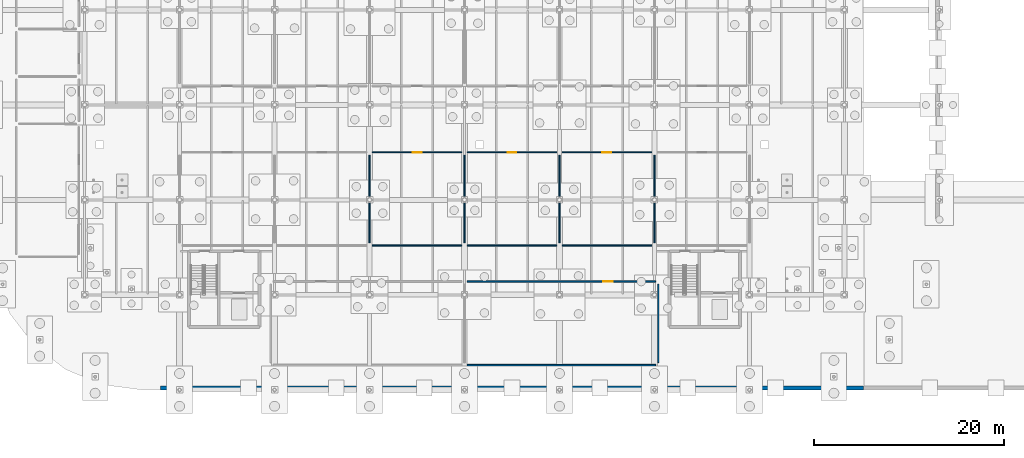
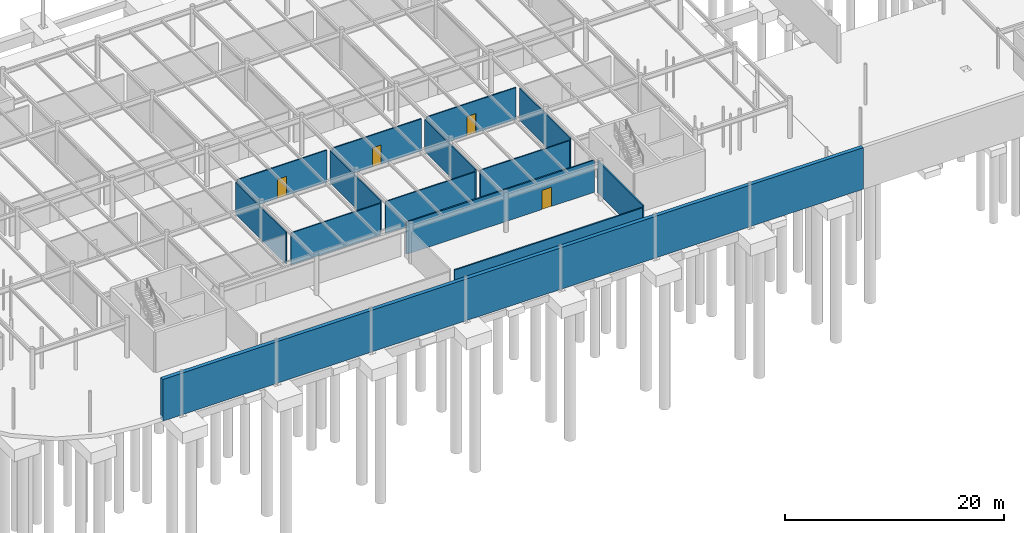
# One storey, part 62 of 75: 14 walls, 4 doors, 4 openings.
"""IFC4 building model written with IfcOpenShell, lengths in metres."""

from ifc_helpers import new_model, si_unit, derived_unit, direction, frame, frame_2d, origin, place, context, subcontext, project, spatial, rectangle, extrude, material, layer, layer_set, type_object, element, fill, save


model = new_model("IFC4")

# Units and contexts
model_context = context("Model", 3, precision=1e-05, world=origin(), true_north=direction((0.0, 1.0)))
body_context = subcontext(model_context, "Body", "Model", "MODEL_VIEW")
ifc_project = project(units=[si_unit("LENGTHUNIT", "METRE"), si_unit("AREAUNIT", "SQUARE_METRE"), si_unit("VOLUMEUNIT", "CUBIC_METRE"), si_unit("PLANEANGLEUNIT", "RADIAN"), si_unit("MASSUNIT", "GRAM", prefix="KILO"), derived_unit("THERMALTRANSMITTANCEUNIT", [(si_unit("POWERUNIT", "WATT"), 1), (si_unit("LENGTHUNIT", "METRE"), -2), (si_unit("THERMODYNAMICTEMPERATUREUNIT", "KELVIN"), -1)])], contexts=[model_context])

# Site, building, storey
site_placement = place(None, origin())
site = spatial("IfcSite", under=ifc_project, at=site_placement, CompositionType="ELEMENT")
building_placement = place(site_placement, origin())
building = spatial("IfcBuilding", under=site, at=building_placement, Name="Cinnabar Yard Market Hall", CompositionType="ELEMENT")
storey_placement = place(building_placement, frame((0.0, 0.0, -4.5)))
storey = spatial("IfcBuildingStorey", under=building, at=storey_placement, Name="B1", CompositionType="ELEMENT", Elevation=-4.5)

# Walls
ifc_material_1 = material(Name="Acoustic steel-stud plasterboard", Category="steel")
ifc_layer_1 = layer(ifc_material_1, 0.1201171875)
ifc_layer_set_1 = layer_set([ifc_layer_1], Name="Acoustic steel-stud plasterboard")
wall_type_1 = type_object("IfcWallType", Name="WL-PT120", PredefinedType="PARTITIONING", material=ifc_layer_set_1)
wall_1_placement = place(storey_placement, frame((106.0, 29.47998046875, 0.0), z_axis=(0.0, 0.0, 1.0), x_axis=(0.0, 1.0, 0.0)))
element("IfcWall", 1, at=wall_1_placement, inside=storey, type_object=wall_type_1, Name="Partition Wine and Olive Merchant Shop B02 east", PredefinedType="PARTITIONING", context=body_context, shape_type="SweptSolid", body=[
    extrude(rectangle(XDim=9.239990234375, YDim=0.1201171875, at=frame_2d((4.6201171875, 0.0), x_axis=(1.0, 0.0))), origin(), (0.0, 0.0, 1.0), 3.580078125),
])
wall_2_placement = place(storey_placement, frame((106.280029296875, 29.199951171875, 0.0), z_axis=(0.0, 0.0, 1.0), x_axis=(1.0, 0.0, 0.0)))
element("IfcWall", 2, at=wall_2_placement, inside=storey, type_object=wall_type_1, Name="Partition Artisan Cheese Cellar Shop B03 south", PredefinedType="PARTITIONING", context=body_context, shape_type="SweptSolid", body=[
    extrude(rectangle(XDim=9.43994140625, YDim=0.1201171875, at=frame_2d((4.719970703125, 0.0), x_axis=(1.0, 0.0))), origin(), (0.0, 0.0, 1.0), 3.580078125),
])
wall_3_placement = place(storey_placement, frame((116.0, 29.47998046875, 0.0), z_axis=(0.0, 0.0, 1.0), x_axis=(0.0, 1.0, 0.0)))
element("IfcWall", 3, at=wall_3_placement, inside=storey, type_object=wall_type_1, Name="Partition Artisan Cheese Cellar Shop B03 east", PredefinedType="PARTITIONING", context=body_context, shape_type="SweptSolid", body=[
    extrude(rectangle(XDim=9.239990234375, YDim=0.1201171875, at=frame_2d((4.6201171875, 0.0), x_axis=(1.0, 0.0))), origin(), (0.0, 0.0, 1.0), 3.580078125),
])

# Wall, opening, door
wall_4_placement = place(storey_placement, frame((115.719970703125, 39.0, 0.0), z_axis=(0.0, 0.0, 1.0), x_axis=(-1.0, 0.0, 0.0)))
wall_4 = element("IfcWall", 4, at=wall_4_placement, inside=storey, type_object=wall_type_1, Name="Partition Artisan Cheese Cellar Shop B03 north", PredefinedType="PARTITIONING", context=body_context, shape_type="SweptSolid", body=[
    extrude(rectangle(XDim=9.43994140625, YDim=0.1201171875, at=frame_2d((4.719970703125, 0.0), x_axis=(1.0, 0.0))), origin(), (0.0, 0.0, 1.0), 3.580078125),
])
opening_1_placement = place(wall_4_placement, frame((4.2451171875, 0.0, 0.0)))
opening_1 = element("IfcOpeningElement", 5, at=opening_1_placement, cuts=wall_4, Name="Opening ID-092", PredefinedType="OPENING", context=body_context, shape_type="SweptSolid", body=[
    extrude(rectangle(XDim=0.949951171875, YDim=2.14990234375, at=frame_2d((0.47509765625, 1.074951171875), x_axis=(1.0, 0.0))), frame((0.0, 0.070068359375, 0.0), z_axis=(0.0, -1.0, 0.0), x_axis=(1.0, 0.0, 0.0)), (0.0, 0.0, 1.0), 0.14013671875),
])
ifc_material_2 = material(Name="Solid-core spotted gum timber", Category="wood")
door_type_1 = type_object("IfcDoorType", Name="DR-D06", OperationType="NOTDEFINED", PredefinedType="DOOR", material=ifc_material_2)
door_1_placement = place(opening_1_placement, origin())
door_1 = element("IfcDoor", 6, at=door_1_placement, inside=storey, type_object=door_type_1, Name="Interior Door ID-092", OperationType="SINGLE_SWING_LEFT", OverallHeight=2.14990234375, OverallWidth=0.949951171875, PredefinedType="DOOR", context=body_context, shape_type="SweptSolid", body=[
    extrude(rectangle(XDim=0.949951171875, YDim=2.14990234375, at=frame_2d((0.47509765625, 1.074951171875), x_axis=(1.0, 0.0))), frame((0.0, 0.02490234375, 0.0), z_axis=(0.0, -1.0, 0.0), x_axis=(1.0, 0.0, 0.0)), (0.0, 0.0, 1.0), 0.050048828125),
])
fill(opening_1, door_1)

# Walls
wall_5_placement = place(storey_placement, frame((116.280029296875, 29.199951171875, 0.0), z_axis=(0.0, 0.0, 1.0), x_axis=(1.0, 0.0, 0.0)))
element("IfcWall", 7, at=wall_5_placement, inside=storey, type_object=wall_type_1, Name="Partition Charcuterie and Cured Meats Shop B04 south", PredefinedType="PARTITIONING", context=body_context, shape_type="SweptSolid", body=[
    extrude(rectangle(XDim=9.43994140625, YDim=0.1201171875, at=frame_2d((4.719970703125, 0.0), x_axis=(1.0, 0.0))), origin(), (0.0, 0.0, 1.0), 3.580078125),
])
wall_6_placement = place(storey_placement, frame((126.0, 29.47998046875, 0.0), z_axis=(0.0, 0.0, 1.0), x_axis=(0.0, 1.0, 0.0)))
element("IfcWall", 8, at=wall_6_placement, inside=storey, type_object=wall_type_1, Name="Partition Charcuterie and Cured Meats Shop B04 east", PredefinedType="PARTITIONING", context=body_context, shape_type="SweptSolid", body=[
    extrude(rectangle(XDim=9.239990234375, YDim=0.1201171875, at=frame_2d((4.6201171875, 0.0), x_axis=(1.0, 0.0))), origin(), (0.0, 0.0, 1.0), 3.580078125),
])

# Wall, opening, door
wall_7_placement = place(storey_placement, frame((125.719970703125, 39.0, 0.0), z_axis=(0.0, 0.0, 1.0), x_axis=(-1.0, 0.0, 0.0)))
wall_7 = element("IfcWall", 9, at=wall_7_placement, inside=storey, type_object=wall_type_1, Name="Partition Charcuterie and Cured Meats Shop B04 north", PredefinedType="PARTITIONING", context=body_context, shape_type="SweptSolid", body=[
    extrude(rectangle(XDim=9.43994140625, YDim=0.1201171875, at=frame_2d((4.719970703125, 0.0), x_axis=(1.0, 0.0))), origin(), (0.0, 0.0, 1.0), 3.580078125),
])
opening_2_placement = place(wall_7_placement, frame((4.260009765625, 0.0, 0.0)))
opening_2 = element("IfcOpeningElement", 10, at=opening_2_placement, cuts=wall_7, Name="Opening ID-093", PredefinedType="OPENING", context=body_context, shape_type="SweptSolid", body=[
    extrude(rectangle(XDim=0.919921875, YDim=2.14990234375, at=frame_2d((0.4599609375, 1.074951171875), x_axis=(1.0, 0.0))), frame((0.0, 0.070068359375, 0.0), z_axis=(0.0, -1.0, 0.0), x_axis=(1.0, 0.0, 0.0)), (0.0, 0.0, 1.0), 0.14013671875),
])
door_type_2 = type_object("IfcDoorType", Name="DR-D07", OperationType="NOTDEFINED", PredefinedType="DOOR", material=ifc_material_2)
door_2_placement = place(opening_2_placement, origin())
door_2 = element("IfcDoor", 11, at=door_2_placement, inside=storey, type_object=door_type_2, Name="Interior Door ID-093", OperationType="SINGLE_SWING_RIGHT", OverallHeight=2.14990234375, OverallWidth=0.919921875, PredefinedType="DOOR", context=body_context, shape_type="SweptSolid", body=[
    extrude(rectangle(XDim=0.919921875, YDim=2.14990234375, at=frame_2d((0.4599609375, 1.074951171875), x_axis=(1.0, 0.0))), frame((0.0, 0.02490234375, 0.0), z_axis=(0.0, -1.0, 0.0), x_axis=(1.0, 0.0, 0.0)), (0.0, 0.0, 1.0), 0.050048828125),
])
fill(opening_2, door_2)

# Walls
wall_8_placement = place(storey_placement, frame((126.280029296875, 29.199951171875, 0.0), z_axis=(0.0, 0.0, 1.0), x_axis=(1.0, 0.0, 0.0)))
element("IfcWall", 12, at=wall_8_placement, inside=storey, type_object=wall_type_1, Name="Partition Dry Goods and Grain Larder Shop B05 south", PredefinedType="PARTITIONING", context=body_context, shape_type="SweptSolid", body=[
    extrude(rectangle(XDim=9.43994140625, YDim=0.1201171875, at=frame_2d((4.719970703125, 0.0), x_axis=(1.0, 0.0))), origin(), (0.0, 0.0, 1.0), 3.580078125),
])
wall_9_placement = place(storey_placement, frame((136.0, 29.47998046875, 0.0), z_axis=(0.0, 0.0, 1.0), x_axis=(0.0, 1.0, 0.0)))
element("IfcWall", 13, at=wall_9_placement, inside=storey, type_object=wall_type_1, Name="Partition Dry Goods and Grain Larder Shop B05 east", PredefinedType="PARTITIONING", context=body_context, shape_type="SweptSolid", body=[
    extrude(rectangle(XDim=9.239990234375, YDim=0.1201171875, at=frame_2d((4.6201171875, 0.0), x_axis=(1.0, 0.0))), origin(), (0.0, 0.0, 1.0), 3.580078125),
])

# Wall, opening, door
wall_10_placement = place(storey_placement, frame((135.719970703125, 39.0, 0.0), z_axis=(0.0, 0.0, 1.0), x_axis=(-1.0, 0.0, 0.0)))
wall_10 = element("IfcWall", 14, at=wall_10_placement, inside=storey, type_object=wall_type_1, Name="Partition Dry Goods and Grain Larder Shop B05 north", PredefinedType="PARTITIONING", context=body_context, shape_type="SweptSolid", body=[
    extrude(rectangle(XDim=9.43994140625, YDim=0.1201171875, at=frame_2d((4.719970703125, 0.0), x_axis=(1.0, 0.0))), origin(), (0.0, 0.0, 1.0), 3.580078125),
])
opening_3_placement = place(wall_10_placement, frame((4.2451171875, 0.0, 0.0)))
opening_3 = element("IfcOpeningElement", 15, at=opening_3_placement, cuts=wall_10, Name="Opening ID-094", PredefinedType="OPENING", context=body_context, shape_type="SweptSolid", body=[
    extrude(rectangle(XDim=0.949951171875, YDim=2.14990234375, at=frame_2d((0.47509765625, 1.074951171875), x_axis=(1.0, 0.0))), frame((0.0, 0.070068359375, 0.0), z_axis=(0.0, -1.0, 0.0), x_axis=(1.0, 0.0, 0.0)), (0.0, 0.0, 1.0), 0.14013671875),
])
door_3_placement = place(opening_3_placement, origin())
door_3 = element("IfcDoor", 16, at=door_3_placement, inside=storey, type_object=door_type_1, Name="Interior Door ID-094", OperationType="SINGLE_SWING_LEFT", OverallHeight=2.14990234375, OverallWidth=0.949951171875, PredefinedType="DOOR", context=body_context, shape_type="SweptSolid", body=[
    extrude(rectangle(XDim=0.949951171875, YDim=2.14990234375, at=frame_2d((0.47509765625, 1.074951171875), x_axis=(1.0, 0.0))), frame((0.0, 0.02490234375, 0.0), z_axis=(0.0, -1.0, 0.0), x_axis=(1.0, 0.0, 0.0)), (0.0, 0.0, 1.0), 0.050048828125),
])
fill(opening_3, door_3)

# Walls
ifc_material_3 = material(Name="Fire-rated steel-stud plasterboard", Category="steel")
ifc_layer_2 = layer(ifc_material_3, 0.14990234375)
ifc_layer_set_2 = layer_set([ifc_layer_2], Name="Fire-rated steel-stud plasterboard")
wall_type_2 = type_object("IfcWallType", Name="WL-PT150", PredefinedType="PARTITIONING", material=ifc_layer_set_2)
wall_11_placement = place(storey_placement, frame((116.280029296875, 16.60009765625, 0.0), z_axis=(0.0, 0.0, 1.0), x_axis=(1.0, 0.0, 0.0)))
element("IfcWall", 17, at=wall_11_placement, inside=storey, type_object=wall_type_2, Name="Partition Main Switchroom and Rainwater Pump Plant Room south", PredefinedType="PARTITIONING", context=body_context, shape_type="SweptSolid", body=[
    extrude(rectangle(XDim=19.840087890625, YDim=0.14990234375, at=frame_2d((9.919921875, 0.0), x_axis=(1.0, 0.0))), origin(), (0.0, 0.0, 1.0), 3.580078125),
])
wall_12_placement = place(storey_placement, frame((136.39990234375, 16.8798828125, 0.0), z_axis=(0.0, 0.0, 1.0), x_axis=(0.0, 1.0, 0.0)))
element("IfcWall", 18, at=wall_12_placement, inside=storey, type_object=wall_type_2, Name="Partition Main Switchroom and Rainwater Pump Plant Room east", PredefinedType="PARTITIONING", context=body_context, shape_type="SweptSolid", body=[
    extrude(rectangle(XDim=8.240234375, YDim=0.14990234375, at=frame_2d((4.1201171875, 0.0), x_axis=(1.0, 0.0))), origin(), (0.0, 0.0, 1.0), 3.580078125),
])

# Wall, opening, door
wall_13_placement = place(storey_placement, frame((136.1201171875, 25.39990234375, 0.0), z_axis=(0.0, 0.0, 1.0), x_axis=(-1.0, 0.0, 0.0)))
wall_13 = element("IfcWall", 19, at=wall_13_placement, inside=storey, type_object=wall_type_2, Name="Partition Main Switchroom and Rainwater Pump Plant Room north", PredefinedType="PARTITIONING", context=body_context, shape_type="SweptSolid", body=[
    extrude(rectangle(XDim=19.840087890625, YDim=0.14990234375, at=frame_2d((9.919921875, 0.0), x_axis=(1.0, 0.0))), origin(), (0.0, 0.0, 1.0), 3.580078125),
])
opening_4_placement = place(wall_13_placement, frame((4.521484375, 0.0, 0.0)))
opening_4 = element("IfcOpeningElement", 20, at=opening_4_placement, cuts=wall_13, Name="Opening ID-107", PredefinedType="OPENING", context=body_context, shape_type="SweptSolid", body=[
    extrude(rectangle(XDim=1.0, YDim=2.14990234375, at=frame_2d((0.5, 1.074951171875), x_axis=(1.0, 0.0))), frame((0.0, 0.0849609375, 0.0), z_axis=(0.0, -1.0, 0.0), x_axis=(1.0, 0.0, 0.0)), (0.0, 0.0, 1.0), 0.169921875),
])
door_type_3 = type_object("IfcDoorType", Name="DR-D05", OperationType="NOTDEFINED", PredefinedType="DOOR", material=ifc_material_2)
door_4_placement = place(opening_4_placement, origin())
door_4 = element("IfcDoor", 21, at=door_4_placement, inside=storey, type_object=door_type_3, Name="Interior Door ID-107", OperationType="SINGLE_SWING_RIGHT", OverallHeight=2.14990234375, OverallWidth=1.0, PredefinedType="DOOR", context=body_context, shape_type="SweptSolid", body=[
    extrude(rectangle(XDim=1.0, YDim=2.14990234375, at=frame_2d((0.5, 1.074951171875), x_axis=(1.0, 0.0))), frame((0.0, 0.02490234375, 0.0), z_axis=(0.0, -1.0, 0.0), x_axis=(1.0, 0.0, 0.0)), (0.0, 0.0, 1.0), 0.050048828125),
])
fill(opening_4, door_4)

# Wall
ifc_material_4 = material(Name="Concrete 40 MPa", Category="concrete")
ifc_layer_3 = layer(ifc_material_4, 0.39990234375)
ifc_layer_set_3 = layer_set([ifc_layer_3], Name="Concrete 40 MPa")
wall_type_3 = type_object("IfcWallType", Name="WL-W-RET1E", PredefinedType="USERDEFINED", material=ifc_layer_set_3)
wall_14_placement = place(storey_placement, frame((84.0, 14.199951171875, -0.449951171875), z_axis=(0.0, 0.0, 1.0), x_axis=(1.0, 0.0, 0.0)))
element("IfcWall", 22, at=wall_14_placement, inside=storey, type_object=wall_type_3, Name="Retaining Plinth Wall B1-RET-V1S", ObjectType="RETAINING WALL", PredefinedType="USERDEFINED", context=body_context, shape_type="SweptSolid", body=[
    extrude(rectangle(XDim=74.0, YDim=0.39990234375, at=frame_2d((37.0, 0.0), x_axis=(1.0, 0.0))), origin(), (0.0, 0.0, 1.0), 4.64990234375),
])

save(model, "model.ifc")
